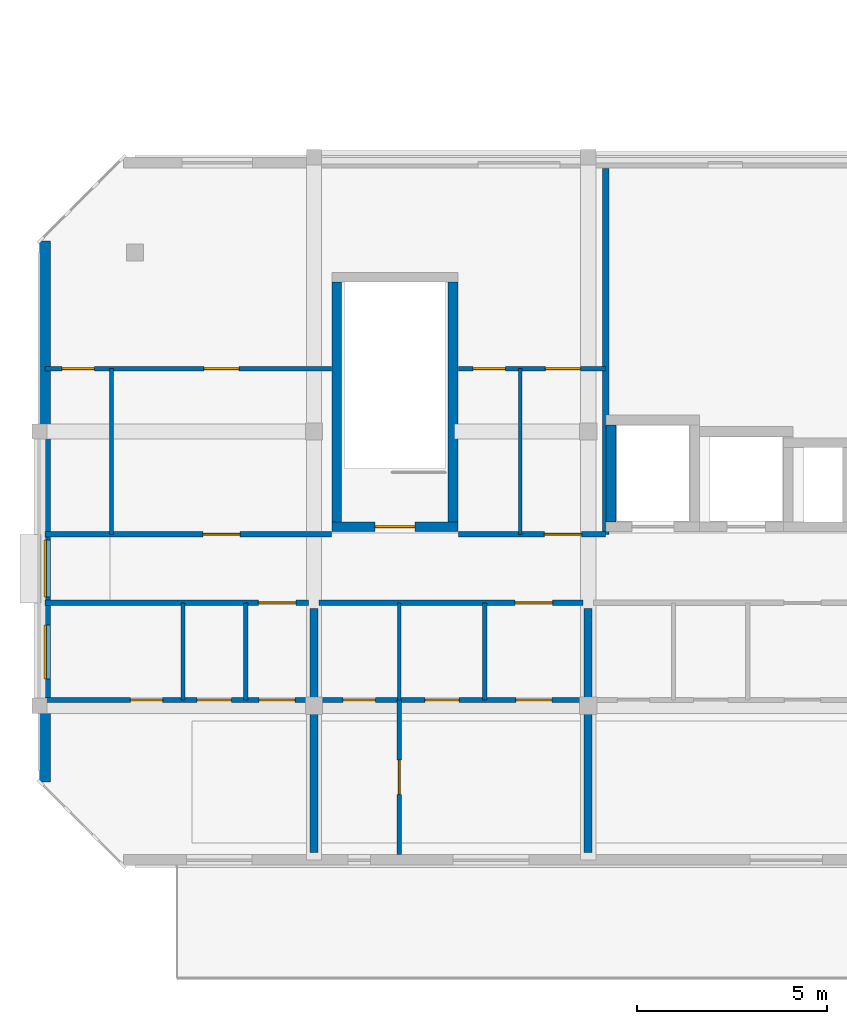
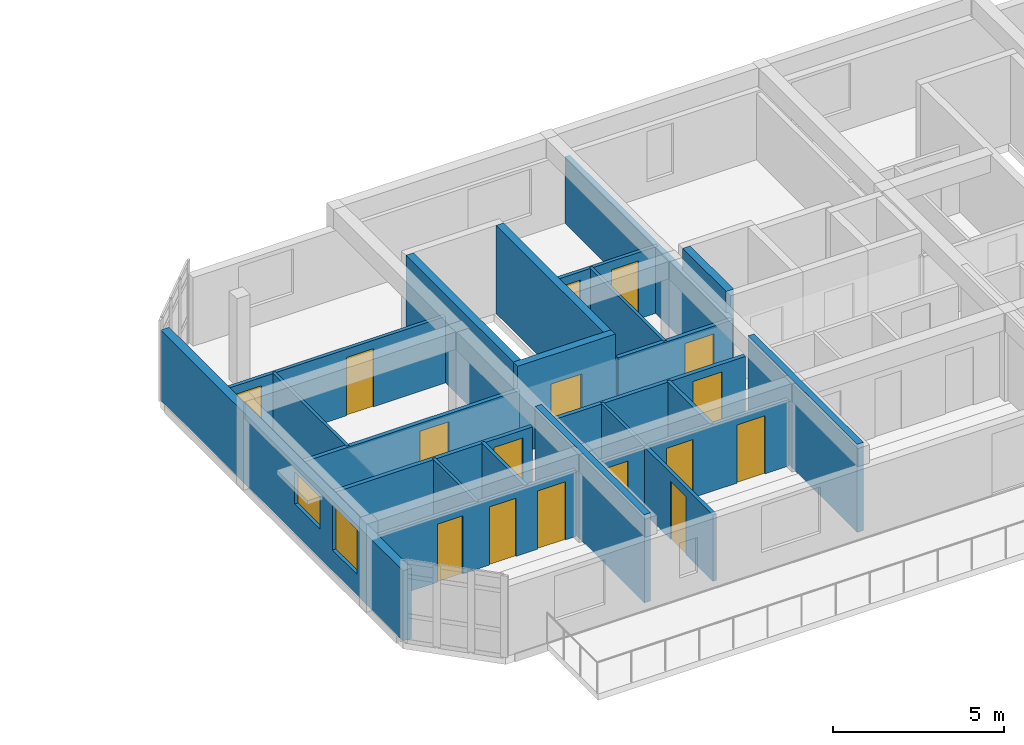
# One storey, part 8 of 19: 23 walls, 16 doors, 2 windows, 18 openings.
"""IFC4 building model written with IfcOpenShell, lengths in metres."""

import ifcopenshell
import ifcopenshell.guid

model = None  # the IFC model being written
_history = None  # IfcOwnerHistory: only IFC2X3 demands one
_inside = {}  # id of a spatial element -> (the spatial element, [elements in it])
_under = {}  # id of a project, library or spatial element -> (it, [spatial elements below it])
_declared = {}  # id of a project -> (the project, [libraries it declares])
_typed = {}  # id of a type object -> (the type object, [elements of that type])
_made_of = {}  # id of a material, layer set ... -> (it, [elements and type objects made of it])


def new_model(schema):
    """Start an empty IFC model of exactly this schema.

    Asked for "IFC4X3", IfcOpenShell would pick the latest addendum, in which some entities
    have other attributes; the version numbers below select the first issue.
    IFC2X3 requires an IfcOwnerHistory on every rooted entity: one is made here for all.
    """
    global model, _history
    if schema == "IFC4X3":
        model = ifcopenshell.file(schema_version=(4, 3, 0, 0))
    else:
        model = ifcopenshell.file(schema=schema)
    _inside.clear()
    _under.clear()
    _declared.clear()
    _typed.clear()
    _made_of.clear()
    _history = None
    if model.schema == "IFC2X3":
        org = make("IfcOrganization", Name="unknown")
        user = make(
            "IfcPersonAndOrganization",
            ThePerson=make("IfcPerson", FamilyName="unknown"),
            TheOrganization=org,
        )
        app = make(
            "IfcApplication",
            ApplicationDeveloper=org,
            Version="unknown",
            ApplicationFullName="unknown",
            ApplicationIdentifier="unknown",
        )
        _history = make(
            "IfcOwnerHistory",
            OwningUser=user,
            OwningApplication=app,
            ChangeAction="ADDED",
            CreationDate=0,
        )
    return model


def make(cls, **values):
    """One entity of the class cls with the attributes given. An attribute that is None is left unset."""
    return model.create_entity(
        cls, **{name: value for name, value in values.items() if value is not None}
    )


def rooted(cls, **values):
    """An entity with a GlobalId (a new one), such as an element, a storey or a relation."""
    return make(cls, GlobalId=ifcopenshell.guid.new(), OwnerHistory=_history, **values)


def si_unit(unit_type, name, prefix=None):
    """IfcSIUnit, for example si_unit("LENGTHUNIT", "METRE", prefix="MILLI")."""
    return make("IfcSIUnit", UnitType=unit_type, Prefix=prefix, Name=name)


def assignment(units):
    """IfcUnitAssignment: the units of a project."""
    return None if units is None else make("IfcUnitAssignment", Units=units)


def point(xyz):
    """IfcCartesianPoint."""
    return None if xyz is None else make("IfcCartesianPoint", Coordinates=xyz)


def direction(xyz):
    """IfcDirection."""
    return None if xyz is None else make("IfcDirection", DirectionRatios=xyz)


def frame(location, z_axis=None, x_axis=None):
    """IfcAxis2Placement3D, a coordinate frame: its origin and axes. An axis left out is left unset."""
    return make(
        "IfcAxis2Placement3D",
        Location=point(location),
        Axis=direction(z_axis),
        RefDirection=direction(x_axis),
    )


def frame_2d(location, x_axis=None):
    """IfcAxis2Placement2D, a coordinate frame in the plane: its origin and x axis."""
    return make(
        "IfcAxis2Placement2D", Location=point(location), RefDirection=direction(x_axis)
    )


def origin():
    """The frame at (0, 0, 0) with its axes left unset."""
    return frame((0.0, 0.0, 0.0))


def place(relative_to, where):
    """IfcLocalPlacement: puts the frame where relative to a parent placement (None: the world)."""
    return make(
        "IfcLocalPlacement", PlacementRelTo=relative_to, RelativePlacement=where
    )


def context(
    kind, dimensions, precision=None, world=None, true_north=None, identifier=None
):
    """IfcGeometricRepresentationContext, for example the 3D "Model" context."""
    return make(
        "IfcGeometricRepresentationContext",
        ContextIdentifier=identifier,
        ContextType=kind,
        CoordinateSpaceDimension=dimensions,
        Precision=precision,
        WorldCoordinateSystem=world,
        TrueNorth=true_north,
    )


def subcontext(parent, identifier, kind, view, scale=None):
    """IfcGeometricRepresentationSubContext, for example "Body" below "Model"."""
    return make(
        "IfcGeometricRepresentationSubContext",
        ContextIdentifier=identifier,
        ContextType=kind,
        ParentContext=parent,
        TargetScale=scale,
        TargetView=view,
    )


def project(units=None, contexts=None):
    """IfcProject with its units and contexts."""
    return rooted(
        "IfcProject",
        Name="project",
        RepresentationContexts=contexts,
        UnitsInContext=assignment(units),
    )


def spatial(cls, under=None, at=None, **own):
    """A site, building, storey or space (cls), placed at a placement, below another one or the project."""
    s = rooted(cls, ObjectPlacement=at, **own)
    if under is not None:
        _under.setdefault(under.id(), (under, []))[1].append(s)
    return s


def profile(cls, at=None, kind="AREA", **sizes):
    """A parametric profile (cls). Its sizes go by their IFC names, for example OverallWidth=200.0."""
    return make(cls, ProfileType=kind, Position=at, **sizes)


def rectangle(**sizes):
    """IfcRectangleProfileDef."""
    return profile("IfcRectangleProfileDef", **sizes)


def extrude(swept, where, along, depth):
    """IfcExtrudedAreaSolid: the profile swept, set in the frame where, extruded along a direction by depth."""
    return make(
        "IfcExtrudedAreaSolid",
        SweptArea=swept,
        Position=where,
        ExtrudedDirection=direction(along),
        Depth=depth,
    )


def shape(context_of_items, identifier, shape_type, items):
    """IfcShapeRepresentation: the items that make up one representation, for example the "Body"."""
    return make(
        "IfcShapeRepresentation",
        ContextOfItems=context_of_items,
        RepresentationIdentifier=identifier,
        RepresentationType=shape_type,
        Items=items,
    )


def material(Name=None, Category=None):
    """IfcMaterial."""
    return make("IfcMaterial", Name=Name, Category=Category)


def layer(
    of_material, thickness, ventilated=None, Name=None, Category=None, Priority=None
):
    """IfcMaterialLayer: one layer of a wall or slab, of a material (None: an air gap)."""
    return make(
        "IfcMaterialLayer",
        Material=of_material,
        LayerThickness=thickness,
        IsVentilated=ventilated,
        Name=Name,
        Category=Category,
        Priority=Priority,
    )


def layer_set(layers, Name=None):
    """IfcMaterialLayerSet."""
    return make("IfcMaterialLayerSet", MaterialLayers=layers, LayerSetName=Name)


def made_of(thing, what):
    """Note that an element or type object is made of a material, layer set ...; save() writes the relation."""
    if what is not None:
        _made_of.setdefault(what.id(), (what, []))[1].append(thing)
    return thing


def type_object(cls, material=None, **own):
    """A type object (cls), such as IfcWallType, which elements share."""
    return made_of(rooted(cls, **own), material)


def element(
    cls,
    number,
    at=None,
    inside=None,
    cuts=None,
    type_object=None,
    material=None,
    context=None,
    identifier="Body",
    shape_type=None,
    held_by="IfcProductDefinitionShape",
    body=None,
    shapes=None,
    **own,
):
    """One element of the class cls, such as IfcWall. Its Tag is "e" and its number.

    at: its placement. inside: the storey or other place that contains it. cuts: it is an
    opening in that element (IfcRelVoidsElement). A single representation is given by context,
    identifier, shape_type and body (its items); several are given by shapes. held_by: the class
    of the entity that holds the representations. save() writes the other relations.
    """
    e = rooted(cls, Tag="e%d" % number, ObjectPlacement=at, **own)
    if body is not None:
        shapes = [shape(context, identifier, shape_type, body)]
    if shapes is not None:
        e.Representation = make(held_by, Representations=shapes)
    if inside is not None:
        _inside.setdefault(inside.id(), (inside, []))[1].append(e)
    if cuts is not None:
        rooted(
            "IfcRelVoidsElement", RelatingBuildingElement=cuts, RelatedOpeningElement=e
        )
    if type_object is not None:
        _typed.setdefault(type_object.id(), (type_object, []))[1].append(e)
    return made_of(e, material)


def fill(opening, filler):
    """IfcRelFillsElement: the door or window that sits in an opening."""
    return rooted(
        "IfcRelFillsElement",
        RelatingOpeningElement=opening,
        RelatedBuildingElement=filler,
    )


def aggregate(whole, parts):
    """IfcRelAggregates: a whole, such as a stair, and the parts it consists of."""
    return rooted("IfcRelAggregates", RelatingObject=whole, RelatedObjects=parts)


def save(model, path):
    """Write the relations noted so far, then the file.

    IfcRelAggregates (storeys below a building ...), IfcRelContainedInSpatialStructure (elements
    in a storey), IfcRelDefinesByType, IfcRelAssociatesMaterial and IfcRelDeclares: one each for
    every whole, place, type object, material and project.
    """
    for whole, parts in _under.values():
        aggregate(whole, parts)
    for where, things in _inside.values():
        rooted(
            "IfcRelContainedInSpatialStructure",
            RelatedElements=things,
            RelatingStructure=where,
        )
    for kind, things in _typed.values():
        rooted("IfcRelDefinesByType", RelatedObjects=things, RelatingType=kind)
    for what, things in _made_of.values():
        rooted("IfcRelAssociatesMaterial", RelatedObjects=things, RelatingMaterial=what)
    for by, libraries in _declared.values():
        rooted("IfcRelDeclares", RelatingContext=by, RelatedDefinitions=libraries)
    model.write(path)


model = new_model("IFC4")

# Units and contexts
model_context = context("Model", 3, precision=1e-05, world=origin(), true_north=direction((0.0, 1.0)))
body_context = subcontext(model_context, "Body", "Model", "MODEL_VIEW")
ifc_project = project(units=[si_unit("LENGTHUNIT", "METRE"), si_unit("AREAUNIT", "SQUARE_METRE"), si_unit("VOLUMEUNIT", "CUBIC_METRE"), si_unit("PLANEANGLEUNIT", "RADIAN"), si_unit("MASSUNIT", "GRAM", prefix="KILO")], contexts=[model_context])

# Site, building, storey
site_placement = place(None, origin())
site = spatial("IfcSite", under=ifc_project, at=site_placement, CompositionType="ELEMENT")
building_placement = place(site_placement, origin())
building = spatial("IfcBuilding", under=site, at=building_placement, Name="Ochrevale Crest", CompositionType="ELEMENT")
storey_placement = place(building_placement, frame((0.0, 0.0, 43.35009765625)))
storey = spatial("IfcBuildingStorey", under=building, at=storey_placement, Name="L13", CompositionType="ELEMENT", Elevation=43.35009765625)

# Wall, opening, door
ifc_material_1 = material(Name="Gypsum plasterboard", Category="gypsum")
ifc_layer_1 = layer(ifc_material_1, 0.139892578125)
ifc_layer_set_1 = layer_set([ifc_layer_1], Name="Gypsum plasterboard")
wall_type_1 = type_object("IfcWallType", Name="WL-COR-140", PredefinedType="PARTITIONING", material=ifc_layer_set_1)
wall_1_placement = place(storey_placement, frame((129.739990234375, 24.300048828125, 0.0), z_axis=(0.0, 0.0, 1.0), x_axis=(1.0, 0.0, 0.0)))
wall_1 = element("IfcWall", 1, at=wall_1_placement, inside=storey, type_object=wall_type_1, Name="Apartment C-L13-U1 corridor wall", PredefinedType="PARTITIONING", context=body_context, shape_type="SweptSolid", body=[
    extrude(rectangle(XDim=6.919921875, YDim=0.139892578125, at=frame_2d((3.4599609375, 0.0))), origin(), (0.0, 0.0, 1.0), 2.3798828125),
])
opening_1_placement = place(wall_1_placement, frame((6.5849609375, 0.0, 0.0), z_axis=(0.0, 0.0, 1.0), x_axis=(-1.0, 0.0, 0.0)))
opening_1 = element("IfcOpeningElement", 2, at=opening_1_placement, cuts=wall_1, Name="Opening FD01", PredefinedType="OPENING", context=body_context, shape_type="SweptSolid", body=[
    extrude(rectangle(XDim=0.97998046875, YDim=2.10009765625, at=frame_2d((0.489990234375, 1.050048828125))), frame((0.0, 0.080078125, 0.0), z_axis=(0.0, -1.0, 0.0), x_axis=(1.0, 0.0, 0.0)), (0.0, 0.0, 1.0), 0.159912109375),
])
ifc_material_2 = material(Name="Solid-core FSC hardwood", Category="wood")
door_type_1 = type_object("IfcDoorType", Name="DR-APT-950", OperationType="NOTDEFINED", PredefinedType="DOOR", material=ifc_material_2)
door_1_placement = place(opening_1_placement, origin())
door_1 = element("IfcDoor", 3, at=door_1_placement, inside=storey, type_object=door_type_1, Name="Apartment C-L13-U1 entrance door", OperationType="SINGLE_SWING_RIGHT", OverallHeight=2.10009765625, OverallWidth=0.97998046875, PredefinedType="DOOR", context=body_context, shape_type="SweptSolid", body=[
    extrude(rectangle(XDim=0.97998046875, YDim=2.10009765625, at=frame_2d((0.489990234375, 1.050048828125))), frame((0.0, 0.02490234375, 0.0), z_axis=(0.0, -1.0, 0.0), x_axis=(1.0, 0.0, 0.0)), (0.0, 0.0, 1.0), 0.050048828125),
])
fill(opening_1, door_1)

wall_2_placement = place(storey_placement, frame((136.93994140625, 24.300048828125, 0.0), z_axis=(0.0, 0.0, 1.0), x_axis=(1.0, 0.0, 0.0)))
wall_2 = element("IfcWall", 4, at=wall_2_placement, inside=storey, type_object=wall_type_1, Name="Apartment C-L13-U2 corridor wall", PredefinedType="PARTITIONING", context=body_context, shape_type="SweptSolid", body=[
    extrude(rectangle(XDim=6.920166015625, YDim=0.139892578125, at=frame_2d((3.4599609375, 0.0))), origin(), (0.0, 0.0, 1.0), 2.3798828125),
])
opening_2_placement = place(wall_2_placement, frame((6.125, 0.0, 0.0), z_axis=(0.0, 0.0, 1.0), x_axis=(-1.0, 0.0, 0.0)))
opening_2 = element("IfcOpeningElement", 5, at=opening_2_placement, cuts=wall_2, Name="Opening FD01", PredefinedType="OPENING", context=body_context, shape_type="SweptSolid", body=[
    extrude(rectangle(XDim=0.97998046875, YDim=2.10009765625, at=frame_2d((0.489990234375, 1.050048828125))), frame((0.0, 0.080078125, 0.0), z_axis=(0.0, -1.0, 0.0), x_axis=(1.0, 0.0, 0.0)), (0.0, 0.0, 1.0), 0.159912109375),
])
door_2_placement = place(opening_2_placement, origin())
door_2 = element("IfcDoor", 6, at=door_2_placement, inside=storey, type_object=door_type_1, Name="Apartment C-L13-U2 entrance door", OperationType="SINGLE_SWING_RIGHT", OverallHeight=2.10009765625, OverallWidth=0.97998046875, PredefinedType="DOOR", context=body_context, shape_type="SweptSolid", body=[
    extrude(rectangle(XDim=0.97998046875, YDim=2.10009765625, at=frame_2d((0.489990234375, 1.050048828125))), frame((0.0, 0.02490234375, 0.0), z_axis=(0.0, -1.0, 0.0), x_axis=(1.0, 0.0, 0.0)), (0.0, 0.0, 1.0), 0.050048828125),
])
fill(opening_2, door_2)

wall_3_placement = place(storey_placement, frame((129.739990234375, 26.10009765625, 0.0), z_axis=(0.0, 0.0, 1.0), x_axis=(1.0, 0.0, 0.0)))
wall_3 = element("IfcWall", 7, at=wall_3_placement, inside=storey, type_object=wall_type_1, Name="Suite C-L13-CW corridor wall", PredefinedType="PARTITIONING", context=body_context, shape_type="SweptSolid", body=[
    extrude(rectangle(XDim=7.52001953125, YDim=0.139892578125, at=frame_2d((3.760009765625, 0.0))), origin(), (0.0, 0.0, 1.0), 2.3798828125),
])
opening_3_placement = place(wall_3_placement, frame((5.125, 0.0, 0.0), z_axis=(0.0, 0.0, 1.0), x_axis=(-1.0, 0.0, 0.0)))
opening_3 = element("IfcOpeningElement", 8, at=opening_3_placement, cuts=wall_3, Name="Opening FD01", PredefinedType="OPENING", context=body_context, shape_type="SweptSolid", body=[
    extrude(rectangle(XDim=0.97998046875, YDim=2.10009765625, at=frame_2d((0.489990234375, 1.050048828125))), frame((0.0, 0.080078125, 0.0), z_axis=(0.0, -1.0, 0.0), x_axis=(1.0, 0.0, 0.0)), (0.0, 0.0, 1.0), 0.159912109375),
])
door_3_placement = place(opening_3_placement, origin())
door_3 = element("IfcDoor", 9, at=door_3_placement, inside=storey, type_object=door_type_1, Name="Suite C-L13-CW entrance door", OperationType="SINGLE_SWING_RIGHT", OverallHeight=2.10009765625, OverallWidth=0.97998046875, PredefinedType="DOOR", context=body_context, shape_type="SweptSolid", body=[
    extrude(rectangle(XDim=0.97998046875, YDim=2.10009765625, at=frame_2d((0.489990234375, 1.050048828125))), frame((0.0, 0.02490234375, 0.0), z_axis=(0.0, -1.0, 0.0), x_axis=(1.0, 0.0, 0.0)), (0.0, 0.0, 1.0), 0.050048828125),
])
fill(opening_3, door_3)

wall_4_placement = place(storey_placement, frame((140.590087890625, 26.10009765625, 0.0), z_axis=(0.0, 0.0, 1.0), x_axis=(1.0, 0.0, 0.0)))
wall_4 = element("IfcWall", 10, at=wall_4_placement, inside=storey, type_object=wall_type_1, Name="Suite C-L13-MW corridor wall", PredefinedType="PARTITIONING", context=body_context, shape_type="SweptSolid", body=[
    extrude(rectangle(XDim=3.869873046875, YDim=0.139892578125, at=frame_2d((1.93505859375, 0.0))), origin(), (0.0, 0.0, 1.0), 2.3798828125),
])
opening_4_placement = place(wall_4_placement, frame((2.2578125, 0.0, 0.0)))
opening_4 = element("IfcOpeningElement", 11, at=opening_4_placement, cuts=wall_4, Name="Opening FD01", PredefinedType="OPENING", context=body_context, shape_type="SweptSolid", body=[
    extrude(rectangle(XDim=0.97998046875, YDim=2.10009765625, at=frame_2d((0.489990234375, 1.050048828125))), frame((0.0, 0.080078125, 0.0), z_axis=(0.0, -1.0, 0.0), x_axis=(1.0, 0.0, 0.0)), (0.0, 0.0, 1.0), 0.159912109375),
])
door_4_placement = place(opening_4_placement, origin())
door_4 = element("IfcDoor", 12, at=door_4_placement, inside=storey, type_object=door_type_1, Name="Suite C-L13-MW entrance door", OperationType="SINGLE_SWING_LEFT", OverallHeight=2.10009765625, OverallWidth=0.97998046875, PredefinedType="DOOR", context=body_context, shape_type="SweptSolid", body=[
    extrude(rectangle(XDim=0.97998046875, YDim=2.10009765625, at=frame_2d((0.489990234375, 1.050048828125))), frame((0.0, 0.02490234375, 0.0), z_axis=(0.0, -1.0, 0.0), x_axis=(1.0, 0.0, 0.0)), (0.0, 0.0, 1.0), 0.050048828125),
])
fill(opening_4, door_4)

ifc_material_3 = material(Name="Precast concrete C50/60", Category="concrete")
ifc_layer_2 = layer(ifc_material_3, 0.2548828125)
ifc_layer_set_2 = layer_set([ifc_layer_2], Name="Precast concrete C50/60")
wall_type_2 = type_object("IfcWallType", Name="WL-CORE-255", PredefinedType="SHEAR", material=ifc_layer_set_2)
wall_5_placement = place(storey_placement, frame((137.2724609375, 26.300048828125, 0.0), z_axis=(0.0, 0.0, 1.0), x_axis=(1.0, 0.0, 0.0)))
wall_5 = element("IfcWall", 13, at=wall_5_placement, inside=storey, type_object=wall_type_2, Name="Block C L13 Stair 1 precast core shear wall S", PredefinedType="SHEAR", context=body_context, shape_type="SweptSolid", body=[
    extrude(rectangle(XDim=3.304931640625, YDim=0.2548828125, at=frame_2d((1.65234375, 0.0))), origin(), (0.0, 0.0, 1.0), 3.14990234375),
])
opening_5_placement = place(wall_5_placement, frame((2.177490234375, 0.0, 0.0), z_axis=(0.0, 0.0, 1.0), x_axis=(-1.0, 0.0, 0.0)))
opening_5 = element("IfcOpeningElement", 14, at=opening_5_placement, cuts=wall_5, Name="Opening FD03", PredefinedType="OPENING", context=body_context, shape_type="SweptSolid", body=[
    extrude(rectangle(XDim=1.050048828125, YDim=2.1201171875, at=frame_2d((0.52490234375, 1.06005859375))), frame((0.0, 0.137451171875, 0.0), z_axis=(0.0, -1.0, 0.0), x_axis=(1.0, 0.0, 0.0)), (0.0, 0.0, 1.0), 0.27490234375),
])
door_type_2 = type_object("IfcDoorType", Name="DR-ST-1050", OperationType="NOTDEFINED", PredefinedType="DOOR", material=ifc_material_2)
door_5_placement = place(opening_5_placement, origin())
door_5 = element("IfcDoor", 15, at=door_5_placement, inside=storey, type_object=door_type_2, Name="Block C L13 fire stair 1 door", OperationType="SINGLE_SWING_RIGHT", OverallHeight=2.1201171875, OverallWidth=1.050048828125, PredefinedType="DOOR", context=body_context, shape_type="SweptSolid", body=[
    extrude(rectangle(XDim=1.050048828125, YDim=2.1201171875, at=frame_2d((0.52490234375, 1.06005859375))), frame((0.0, 0.02490234375, 0.0), z_axis=(0.0, -1.0, 0.0), x_axis=(1.0, 0.0, 0.0)), (0.0, 0.0, 1.0), 0.050048828125),
])
fill(opening_5, door_5)

# Walls
for number, where, z_axis, x_axis, name in (
    (16, (137.39990234375, 26.427490234375, 0.0), (0.0, 0.0, 1.0), (0.0, 1.0, 0.0), "Block C L13 Stair 1 precast core shear wall W"),
    (17, (140.449951171875, 26.427490234375, 0.0), (0.0, 0.0, 1.0), (0.0, 1.0, 0.0), "Block C L13 Stair 1 precast core shear wall E"),
):
    element("IfcWall", number, at=place(storey_placement, frame(where, z_axis=z_axis, x_axis=x_axis)), inside=storey, type_object=wall_type_2, Name=name, PredefinedType="SHEAR", context=body_context, shape_type="SweptSolid", body=[
        extrude(rectangle(XDim=6.294921875, YDim=0.2548828125, at=frame_2d((3.1474609375, 0.0))), origin(), (0.0, 0.0, 1.0), 3.14990234375),
    ])
wall_6_placement = place(storey_placement, frame((144.60009765625, 26.427490234375, 0.0), z_axis=(0.0, 0.0, 1.0), x_axis=(0.0, 1.0, 0.0)))
element("IfcWall", 18, at=wall_6_placement, inside=storey, type_object=wall_type_2, Name="Block C L13 Lift 1 precast shaft shear wall W", PredefinedType="SHEAR", context=body_context, shape_type="SweptSolid", body=[
    extrude(rectangle(XDim=2.544921875, YDim=0.2548828125, at=frame_2d((1.2724609375, 0.0))), origin(), (0.0, 0.0, 1.0), 3.14990234375),
])

# Wall, openings, windows
ifc_material_4 = material(Name="Clay face brickwork", Category="masonry")
ifc_layer_3 = layer(ifc_material_4, 0.2900390625)
ifc_layer_set_3 = layer_set([ifc_layer_3], Name="Clay face brickwork")
wall_type_3 = type_object("IfcWallType", Name="WL-EXT-BRICK-290", PredefinedType="SOLIDWALL", material=ifc_layer_set_3)
wall_7_placement = place(storey_placement, frame((129.7451171875, 33.800048828125, 0.0), z_axis=(0.0, 0.0, 1.0), x_axis=(0.0, -1.0, 0.0)))
wall_7 = element("IfcWall", 19, at=wall_7_placement, inside=storey, type_object=wall_type_3, Name="Block C L13 external facade wall E7", PredefinedType="SOLIDWALL", context=body_context, shape_type="SweptSolid", body=[
    extrude(rectangle(XDim=14.199951171875, YDim=0.2900390625, at=frame_2d((7.10009765625, 0.0))), origin(), (0.0, 0.0, 1.0), 2.510009765625),
])
opening_6_placement = place(wall_7_placement, frame((7.85009765625, 0.0, 1.050048828125)))
opening_6 = element("IfcOpeningElement", 20, at=opening_6_placement, cuts=wall_7, Name="Opening W18", PredefinedType="OPENING", context=body_context, shape_type="SweptSolid", body=[
    extrude(rectangle(XDim=1.5, YDim=1.14990234375, at=frame_2d((0.75, 0.574951171875))), frame((0.0, 0.155029296875, 0.0), z_axis=(0.0, -1.0, 0.0), x_axis=(1.0, 0.0, 0.0)), (0.0, 0.0, 1.0), 0.31005859375),
])
opening_7_placement = place(wall_7_placement, frame((10.074951171875, 0.0, 0.75)))
opening_7 = element("IfcOpeningElement", 21, at=opening_7_placement, cuts=wall_7, Name="Opening W31", PredefinedType="OPENING", context=body_context, shape_type="SweptSolid", body=[
    extrude(rectangle(XDim=1.419921875, YDim=1.60009765625, at=frame_2d((0.7099609375, 0.800048828125))), frame((0.0, 0.155029296875, 0.0), z_axis=(0.0, -1.0, 0.0), x_axis=(1.0, 0.0, 0.0)), (0.0, 0.0, 1.0), 0.31005859375),
])
ifc_material_5 = material(Name="Anodised aluminium 6063-T5 and low-E double glazing", Category="aluminium")
window_type_1 = type_object("IfcWindowType", Name="WIN-W18", PartitioningType="SINGLE_PANEL", PredefinedType="WINDOW", material=ifc_material_5)
window_1_placement = place(opening_6_placement, origin())
window_1 = element("IfcWindow", 22, at=window_1_placement, inside=storey, type_object=window_type_1, Name="Block C L13 corridor end daylight window W", OverallHeight=1.14990234375, OverallWidth=1.5, PartitioningType="SINGLE_PANEL", PredefinedType="WINDOW", context=body_context, shape_type="SweptSolid", body=[
    extrude(rectangle(XDim=1.5, YDim=1.14990234375, at=frame_2d((0.75, 0.574951171875))), frame((0.0, 0.030029296875, 0.0), z_axis=(0.0, -1.0, 0.0), x_axis=(1.0, 0.0, 0.0)), (0.0, 0.0, 1.0), 0.06005859375),
])
fill(opening_6, window_1)
window_type_2 = type_object("IfcWindowType", Name="WIN-W31", PartitioningType="SINGLE_PANEL", PredefinedType="WINDOW", material=ifc_material_5)
window_2_placement = place(opening_7_placement, origin())
window_2 = element("IfcWindow", 23, at=window_2_placement, inside=storey, type_object=window_type_2, Name="Block C L13 side suite window W", OverallHeight=1.60009765625, OverallWidth=1.419921875, PartitioningType="SINGLE_PANEL", PredefinedType="WINDOW", context=body_context, shape_type="SweptSolid", body=[
    extrude(rectangle(XDim=1.419921875, YDim=1.60009765625, at=frame_2d((0.7099609375, 0.800048828125))), frame((0.0, 0.030029296875, 0.0), z_axis=(0.0, -1.0, 0.0), x_axis=(1.0, 0.0, 0.0)), (0.0, 0.0, 1.0), 0.06005859375),
])
fill(opening_7, window_2)

# Wall
ifc_layer_4 = layer(ifc_material_1, 0.1201171875)
ifc_layer_set_4 = layer_set([ifc_layer_4], Name="Gypsum plasterboard")
wall_type_4 = type_object("IfcWallType", Name="WL-PART-120", PredefinedType="PARTITIONING", material=ifc_layer_set_4)
wall_8_placement = place(storey_placement, frame((135.010009765625, 21.75, 0.0), z_axis=(0.0, 0.0, 1.0), x_axis=(0.0, 1.0, 0.0)))
element("IfcWall", 24, at=wall_8_placement, inside=storey, type_object=wall_type_4, Name="Apartment C-L13-U1 kitchen-foyer wall", PredefinedType="PARTITIONING", context=body_context, shape_type="SweptSolid", body=[
    extrude(rectangle(XDim=2.550048828125, YDim=0.1201171875, at=frame_2d((1.27490234375, 0.0))), origin(), (0.0, 0.0, 1.0), 2.3798828125),
])

# Wall, openings, doors
wall_9_placement = place(storey_placement, frame((129.739990234375, 21.75, 0.0), z_axis=(0.0, 0.0, 1.0), x_axis=(1.0, 0.0, 0.0)))
wall_9 = element("IfcWall", 25, at=wall_9_placement, inside=storey, type_object=wall_type_4, Name="Apartment C-L13-U1 central partition", PredefinedType="PARTITIONING", context=body_context, shape_type="SweptSolid", body=[
    extrude(rectangle(XDim=6.919921875, YDim=0.1201171875, at=frame_2d((3.4599609375, 0.0))), origin(), (0.0, 0.0, 1.0), 2.3798828125),
])
opening_8_placement = place(wall_9_placement, frame((2.239990234375, 0.0, 0.0)))
opening_8 = element("IfcOpeningElement", 26, at=opening_8_placement, cuts=wall_9, Name="Opening ID01", PredefinedType="OPENING", context=body_context, shape_type="SweptSolid", body=[
    extrude(rectangle(XDim=0.85009765625, YDim=2.080078125, at=frame_2d((0.425048828125, 1.0400390625))), frame((0.0, 0.070068359375, 0.0), z_axis=(0.0, -1.0, 0.0), x_axis=(1.0, 0.0, 0.0)), (0.0, 0.0, 1.0), 0.14013671875),
])
opening_9_placement = place(wall_9_placement, frame((4.89501953125, 0.0, 0.0), z_axis=(0.0, 0.0, 1.0), x_axis=(-1.0, 0.0, 0.0)))
opening_9 = element("IfcOpeningElement", 27, at=opening_9_placement, cuts=wall_9, Name="Opening ID02", PredefinedType="OPENING", context=body_context, shape_type="SweptSolid", body=[
    extrude(rectangle(XDim=0.89990234375, YDim=2.080078125, at=frame_2d((0.449951171875, 1.0400390625))), frame((0.0, 0.070068359375, 0.0), z_axis=(0.0, -1.0, 0.0), x_axis=(1.0, 0.0, 0.0)), (0.0, 0.0, 1.0), 0.14013671875),
])
opening_10_placement = place(wall_9_placement, frame((5.6201171875, 0.0, 0.0)))
opening_10 = element("IfcOpeningElement", 28, at=opening_10_placement, cuts=wall_9, Name="Opening ID06", PredefinedType="OPENING", context=body_context, shape_type="SweptSolid", body=[
    extrude(rectangle(XDim=0.949951171875, YDim=2.080078125, at=frame_2d((0.47509765625, 1.0400390625))), frame((0.0, 0.070068359375, 0.0), z_axis=(0.0, -1.0, 0.0), x_axis=(1.0, 0.0, 0.0)), (0.0, 0.0, 1.0), 0.14013671875),
])
door_type_3 = type_object("IfcDoorType", Name="DR-INT-900", OperationType="NOTDEFINED", PredefinedType="DOOR", material=ifc_material_2)
door_6_placement = place(opening_9_placement, origin())
door_6 = element("IfcDoor", 29, at=door_6_placement, inside=storey, type_object=door_type_3, Name="Apartment C-L13-U1 Kitchen door", OperationType="SINGLE_SWING_RIGHT", OverallHeight=2.080078125, OverallWidth=0.89990234375, PredefinedType="DOOR", context=body_context, shape_type="SweptSolid", body=[
    extrude(rectangle(XDim=0.89990234375, YDim=2.080078125, at=frame_2d((0.449951171875, 1.0400390625))), frame((0.0, 0.02490234375, 0.0), z_axis=(0.0, -1.0, 0.0), x_axis=(1.0, 0.0, 0.0)), (0.0, 0.0, 1.0), 0.050048828125),
])
fill(opening_9, door_6)
door_type_4 = type_object("IfcDoorType", Name="DR-INT-950", OperationType="NOTDEFINED", PredefinedType="DOOR", material=ifc_material_2)
door_7_placement = place(opening_10_placement, origin())
door_7 = element("IfcDoor", 30, at=door_7_placement, inside=storey, type_object=door_type_4, Name="Apartment C-L13-U1 Living Foyer door", OperationType="SINGLE_SWING_LEFT", OverallHeight=2.080078125, OverallWidth=0.949951171875, PredefinedType="DOOR", context=body_context, shape_type="SweptSolid", body=[
    extrude(rectangle(XDim=0.949951171875, YDim=2.080078125, at=frame_2d((0.47509765625, 1.0400390625))), frame((0.0, 0.02490234375, 0.0), z_axis=(0.0, -1.0, 0.0), x_axis=(1.0, 0.0, 0.0)), (0.0, 0.0, 1.0), 0.050048828125),
])
fill(opening_10, door_7)
door_type_5 = type_object("IfcDoorType", Name="DR-WC-850", OperationType="NOTDEFINED", PredefinedType="DOOR", material=ifc_material_2)
door_8_placement = place(opening_8_placement, origin())
door_8 = element("IfcDoor", 31, at=door_8_placement, inside=storey, type_object=door_type_5, Name="Apartment C-L13-U1 Bathroom door", OperationType="SINGLE_SWING_LEFT", OverallHeight=2.080078125, OverallWidth=0.85009765625, PredefinedType="DOOR", context=body_context, shape_type="SweptSolid", body=[
    extrude(rectangle(XDim=0.85009765625, YDim=2.080078125, at=frame_2d((0.425048828125, 1.0400390625))), frame((0.0, 0.02490234375, 0.0), z_axis=(0.0, -1.0, 0.0), x_axis=(1.0, 0.0, 0.0)), (0.0, 0.0, 1.0), 0.050048828125),
])
fill(opening_8, door_8)

# Wall
wall_10_placement = place(storey_placement, frame((141.2900390625, 21.75, 0.0), z_axis=(0.0, 0.0, 1.0), x_axis=(0.0, 1.0, 0.0)))
element("IfcWall", 32, at=wall_10_placement, inside=storey, type_object=wall_type_4, Name="Apartment C-L13-U2 kitchen-foyer wall", PredefinedType="PARTITIONING", context=body_context, shape_type="SweptSolid", body=[
    extrude(rectangle(XDim=2.550048828125, YDim=0.1201171875, at=frame_2d((1.27490234375, 0.0))), origin(), (0.0, 0.0, 1.0), 2.3798828125),
])

# Wall, openings, doors
wall_11_placement = place(storey_placement, frame((136.93994140625, 21.75, 0.0), z_axis=(0.0, 0.0, 1.0), x_axis=(1.0, 0.0, 0.0)))
wall_11 = element("IfcWall", 33, at=wall_11_placement, inside=storey, type_object=wall_type_4, Name="Apartment C-L13-U2 central partition", PredefinedType="PARTITIONING", context=body_context, shape_type="SweptSolid", body=[
    extrude(rectangle(XDim=6.920166015625, YDim=0.1201171875, at=frame_2d((3.4599609375, 0.0))), origin(), (0.0, 0.0, 1.0), 2.3798828125),
])
opening_11_placement = place(wall_11_placement, frame((0.625, 0.0, 0.0)))
opening_11 = element("IfcOpeningElement", 34, at=opening_11_placement, cuts=wall_11, Name="Opening ID01", PredefinedType="OPENING", context=body_context, shape_type="SweptSolid", body=[
    extrude(rectangle(XDim=0.85009765625, YDim=2.080078125, at=frame_2d((0.425048828125, 1.0400390625))), frame((0.0, 0.070068359375, 0.0), z_axis=(0.0, -1.0, 0.0), x_axis=(1.0, 0.0, 0.0)), (0.0, 0.0, 1.0), 0.14013671875),
])
opening_12_placement = place(wall_11_placement, frame((3.6748046875, 0.0, 0.0), z_axis=(0.0, 0.0, 1.0), x_axis=(-1.0, 0.0, 0.0)))
opening_12 = element("IfcOpeningElement", 35, at=opening_12_placement, cuts=wall_11, Name="Opening ID02", PredefinedType="OPENING", context=body_context, shape_type="SweptSolid", body=[
    extrude(rectangle(XDim=0.89990234375, YDim=2.080078125, at=frame_2d((0.449951171875, 1.0400390625))), frame((0.0, 0.070068359375, 0.0), z_axis=(0.0, -1.0, 0.0), x_axis=(1.0, 0.0, 0.0)), (0.0, 0.0, 1.0), 0.14013671875),
])
opening_13_placement = place(wall_11_placement, frame((5.159912109375, 0.0, 0.0)))
opening_13 = element("IfcOpeningElement", 36, at=opening_13_placement, cuts=wall_11, Name="Opening ID06", PredefinedType="OPENING", context=body_context, shape_type="SweptSolid", body=[
    extrude(rectangle(XDim=0.949951171875, YDim=2.080078125, at=frame_2d((0.47509765625, 1.0400390625))), frame((0.0, 0.070068359375, 0.0), z_axis=(0.0, -1.0, 0.0), x_axis=(1.0, 0.0, 0.0)), (0.0, 0.0, 1.0), 0.14013671875),
])
door_9_placement = place(opening_12_placement, origin())
door_9 = element("IfcDoor", 37, at=door_9_placement, inside=storey, type_object=door_type_3, Name="Apartment C-L13-U2 Kitchen door", OperationType="SINGLE_SWING_RIGHT", OverallHeight=2.080078125, OverallWidth=0.89990234375, PredefinedType="DOOR", context=body_context, shape_type="SweptSolid", body=[
    extrude(rectangle(XDim=0.89990234375, YDim=2.080078125, at=frame_2d((0.449951171875, 1.0400390625))), frame((0.0, 0.02490234375, 0.0), z_axis=(0.0, -1.0, 0.0), x_axis=(1.0, 0.0, 0.0)), (0.0, 0.0, 1.0), 0.050048828125),
])
fill(opening_12, door_9)
door_10_placement = place(opening_13_placement, origin())
door_10 = element("IfcDoor", 38, at=door_10_placement, inside=storey, type_object=door_type_4, Name="Apartment C-L13-U2 Living Foyer door", OperationType="SINGLE_SWING_LEFT", OverallHeight=2.080078125, OverallWidth=0.949951171875, PredefinedType="DOOR", context=body_context, shape_type="SweptSolid", body=[
    extrude(rectangle(XDim=0.949951171875, YDim=2.080078125, at=frame_2d((0.47509765625, 1.0400390625))), frame((0.0, 0.02490234375, 0.0), z_axis=(0.0, -1.0, 0.0), x_axis=(1.0, 0.0, 0.0)), (0.0, 0.0, 1.0), 0.050048828125),
])
fill(opening_13, door_10)
door_11_placement = place(opening_11_placement, origin())
door_11 = element("IfcDoor", 39, at=door_11_placement, inside=storey, type_object=door_type_5, Name="Apartment C-L13-U2 Bathroom door", OperationType="SINGLE_SWING_LEFT", OverallHeight=2.080078125, OverallWidth=0.85009765625, PredefinedType="DOOR", context=body_context, shape_type="SweptSolid", body=[
    extrude(rectangle(XDim=0.85009765625, YDim=2.080078125, at=frame_2d((0.425048828125, 1.0400390625))), frame((0.0, 0.02490234375, 0.0), z_axis=(0.0, -1.0, 0.0), x_axis=(1.0, 0.0, 0.0)), (0.0, 0.0, 1.0), 0.050048828125),
])
fill(opening_11, door_11)

# Wall, opening, door
wall_12_placement = place(storey_placement, frame((139.0400390625, 17.699951171875, 0.0), z_axis=(0.0, 0.0, 1.0), x_axis=(0.0, 1.0, 0.0)))
wall_12 = element("IfcWall", 40, at=wall_12_placement, inside=storey, type_object=wall_type_4, Name="Apartment C-L13-U2 bedroom partition", PredefinedType="PARTITIONING", context=body_context, shape_type="SweptSolid", body=[
    extrude(rectangle(XDim=4.050048828125, YDim=0.1201171875, at=frame_2d((2.02490234375, 0.0))), origin(), (0.0, 0.0, 1.0), 2.3798828125),
])
opening_14_placement = place(wall_12_placement, frame((2.474853515625, 0.0, 0.0), z_axis=(0.0, 0.0, 1.0), x_axis=(-1.0, 0.0, 0.0)))
opening_14 = element("IfcOpeningElement", 41, at=opening_14_placement, cuts=wall_12, Name="Opening ID02", PredefinedType="OPENING", context=body_context, shape_type="SweptSolid", body=[
    extrude(rectangle(XDim=0.89990234375, YDim=2.080078125, at=frame_2d((0.449951171875, 1.0400390625))), frame((0.0, 0.070068359375, 0.0), z_axis=(0.0, -1.0, 0.0), x_axis=(1.0, 0.0, 0.0)), (0.0, 0.0, 1.0), 0.14013671875),
])
door_12_placement = place(opening_14_placement, origin())
door_12 = element("IfcDoor", 42, at=door_12_placement, inside=storey, type_object=door_type_3, Name="Apartment C-L13-U2 Master Bedroom door", OperationType="SINGLE_SWING_RIGHT", OverallHeight=2.080078125, OverallWidth=0.89990234375, PredefinedType="DOOR", context=body_context, shape_type="SweptSolid", body=[
    extrude(rectangle(XDim=0.89990234375, YDim=2.080078125, at=frame_2d((0.449951171875, 1.0400390625))), frame((0.0, 0.02490234375, 0.0), z_axis=(0.0, -1.0, 0.0), x_axis=(1.0, 0.0, 0.0)), (0.0, 0.0, 1.0), 0.050048828125),
])
fill(opening_14, door_12)

# Wall, openings, doors
wall_13_placement = place(storey_placement, frame((129.739990234375, 30.449951171875, 0.0), z_axis=(0.0, 0.0, 1.0), x_axis=(1.0, 0.0, 0.0)))
wall_13 = element("IfcWall", 43, at=wall_13_placement, inside=storey, type_object=wall_type_4, Name="Suite C-L13-CW internal wall", PredefinedType="PARTITIONING", context=body_context, shape_type="SweptSolid", body=[
    extrude(rectangle(XDim=7.52001953125, YDim=0.1201171875, at=frame_2d((3.760009765625, 0.0))), origin(), (0.0, 0.0, 1.0), 2.3798828125),
])
opening_15_placement = place(wall_13_placement, frame((0.449951171875, 0.0, 0.0)))
opening_15 = element("IfcOpeningElement", 44, at=opening_15_placement, cuts=wall_13, Name="Opening ID01", PredefinedType="OPENING", context=body_context, shape_type="SweptSolid", body=[
    extrude(rectangle(XDim=0.85009765625, YDim=2.080078125, at=frame_2d((0.425048828125, 1.0400390625))), frame((0.0, 0.070068359375, 0.0), z_axis=(0.0, -1.0, 0.0), x_axis=(1.0, 0.0, 0.0)), (0.0, 0.0, 1.0), 0.14013671875),
])
opening_16_placement = place(wall_13_placement, frame((5.094970703125, 0.0, 0.0), z_axis=(0.0, 0.0, 1.0), x_axis=(-1.0, 0.0, 0.0)))
opening_16 = element("IfcOpeningElement", 45, at=opening_16_placement, cuts=wall_13, Name="Opening ID04", PredefinedType="OPENING", context=body_context, shape_type="SweptSolid", body=[
    extrude(rectangle(XDim=0.919921875, YDim=2.080078125, at=frame_2d((0.4599609375, 1.0400390625))), frame((0.0, 0.070068359375, 0.0), z_axis=(0.0, -1.0, 0.0), x_axis=(1.0, 0.0, 0.0)), (0.0, 0.0, 1.0), 0.14013671875),
])
door_type_6 = type_object("IfcDoorType", Name="DR-INT-920", OperationType="NOTDEFINED", PredefinedType="DOOR", material=ifc_material_2)
door_13_placement = place(opening_16_placement, origin())
door_13 = element("IfcDoor", 46, at=door_13_placement, inside=storey, type_object=door_type_6, Name="Suite C-L13-CW Quiet Reading Room door", OperationType="SINGLE_SWING_RIGHT", OverallHeight=2.080078125, OverallWidth=0.919921875, PredefinedType="DOOR", context=body_context, shape_type="SweptSolid", body=[
    extrude(rectangle(XDim=0.919921875, YDim=2.080078125, at=frame_2d((0.4599609375, 1.0400390625))), frame((0.0, 0.02490234375, 0.0), z_axis=(0.0, -1.0, 0.0), x_axis=(1.0, 0.0, 0.0)), (0.0, 0.0, 1.0), 0.050048828125),
])
fill(opening_16, door_13)
door_14_placement = place(opening_15_placement, origin())
door_14 = element("IfcDoor", 47, at=door_14_placement, inside=storey, type_object=door_type_5, Name="Suite C-L13-CW Bathroom door", OperationType="SINGLE_SWING_LEFT", OverallHeight=2.080078125, OverallWidth=0.85009765625, PredefinedType="DOOR", context=body_context, shape_type="SweptSolid", body=[
    extrude(rectangle(XDim=0.85009765625, YDim=2.080078125, at=frame_2d((0.425048828125, 1.0400390625))), frame((0.0, 0.02490234375, 0.0), z_axis=(0.0, -1.0, 0.0), x_axis=(1.0, 0.0, 0.0)), (0.0, 0.0, 1.0), 0.050048828125),
])
fill(opening_15, door_14)

wall_14_placement = place(storey_placement, frame((140.590087890625, 30.449951171875, 0.0), z_axis=(0.0, 0.0, 1.0), x_axis=(1.0, 0.0, 0.0)))
wall_14 = element("IfcWall", 48, at=wall_14_placement, inside=storey, type_object=wall_type_4, Name="Suite C-L13-MW internal wall", PredefinedType="PARTITIONING", context=body_context, shape_type="SweptSolid", body=[
    extrude(rectangle(XDim=3.869873046875, YDim=0.1201171875, at=frame_2d((1.93505859375, 0.0))), origin(), (0.0, 0.0, 1.0), 2.3798828125),
])
opening_17_placement = place(wall_14_placement, frame((1.23779296875, 0.0, 0.0), z_axis=(0.0, 0.0, 1.0), x_axis=(-1.0, 0.0, 0.0)))
opening_17 = element("IfcOpeningElement", 49, at=opening_17_placement, cuts=wall_14, Name="Opening ID01", PredefinedType="OPENING", context=body_context, shape_type="SweptSolid", body=[
    extrude(rectangle(XDim=0.85009765625, YDim=2.080078125, at=frame_2d((0.425048828125, 1.0400390625))), frame((0.0, 0.070068359375, 0.0), z_axis=(0.0, -1.0, 0.0), x_axis=(1.0, 0.0, 0.0)), (0.0, 0.0, 1.0), 0.14013671875),
])
opening_18_placement = place(wall_14_placement, frame((2.28759765625, 0.0, 0.0)))
opening_18 = element("IfcOpeningElement", 50, at=opening_18_placement, cuts=wall_14, Name="Opening ID04", PredefinedType="OPENING", context=body_context, shape_type="SweptSolid", body=[
    extrude(rectangle(XDim=0.919921875, YDim=2.080078125, at=frame_2d((0.4599609375, 1.0400390625))), frame((0.0, 0.070068359375, 0.0), z_axis=(0.0, -1.0, 0.0), x_axis=(1.0, 0.0, 0.0)), (0.0, 0.0, 1.0), 0.14013671875),
])
door_15_placement = place(opening_18_placement, origin())
door_15 = element("IfcDoor", 51, at=door_15_placement, inside=storey, type_object=door_type_6, Name="Suite C-L13-MW Courtyard Studio Living door", OperationType="SINGLE_SWING_LEFT", OverallHeight=2.080078125, OverallWidth=0.919921875, PredefinedType="DOOR", context=body_context, shape_type="SweptSolid", body=[
    extrude(rectangle(XDim=0.919921875, YDim=2.080078125, at=frame_2d((0.4599609375, 1.0400390625))), frame((0.0, 0.02490234375, 0.0), z_axis=(0.0, -1.0, 0.0), x_axis=(1.0, 0.0, 0.0)), (0.0, 0.0, 1.0), 0.050048828125),
])
fill(opening_18, door_15)
door_16_placement = place(opening_17_placement, origin())
door_16 = element("IfcDoor", 52, at=door_16_placement, inside=storey, type_object=door_type_5, Name="Suite C-L13-MW Bathroom door", OperationType="SINGLE_SWING_RIGHT", OverallHeight=2.080078125, OverallWidth=0.85009765625, PredefinedType="DOOR", context=body_context, shape_type="SweptSolid", body=[
    extrude(rectangle(XDim=0.85009765625, YDim=2.080078125, at=frame_2d((0.425048828125, 1.0400390625))), frame((0.0, 0.02490234375, 0.0), z_axis=(0.0, -1.0, 0.0), x_axis=(1.0, 0.0, 0.0)), (0.0, 0.0, 1.0), 0.050048828125),
])
fill(opening_17, door_16)

# Walls
ifc_material_6 = material(Name="Precast concrete C40/50", Category="concrete")
ifc_layer_5 = layer(ifc_material_6, 0.2099609375)
ifc_layer_set_5 = layer_set([ifc_layer_5], Name="Precast concrete C40/50")
wall_type_5 = type_object("IfcWallType", Name="WL-SHEAR-210", PredefinedType="SHEAR", material=ifc_layer_set_5)
for number, where, z_axis, x_axis, name in (
    (53, (136.800048828125, 17.75, 0.0), (0.0, 0.0, 1.0), (0.0, 1.0, 0.0), "Block C L13 load-bearing precast cross-wall X=136.8"),
    (54, (144.0, 17.75, 0.0), (0.0, 0.0, 1.0), (0.0, 1.0, 0.0), "Block C L13 load-bearing precast cross-wall X=144.0"),
):
    element("IfcWall", number, at=place(storey_placement, frame(where, z_axis=z_axis, x_axis=x_axis)), inside=storey, type_object=wall_type_5, Name=name, PredefinedType="SHEAR", context=body_context, shape_type="SweptSolid", body=[
        extrude(rectangle(XDim=6.39990234375, YDim=0.2099609375, at=frame_2d((3.199951171875, 0.0))), origin(), (0.0, 0.0, 1.0), 3.14990234375),
    ])
ifc_layer_6 = layer(ifc_material_1, 0.169921875)
ifc_layer_set_6 = layer_set([ifc_layer_6], Name="Gypsum plasterboard")
wall_type_6 = type_object("IfcWallType", Name="WL-TEN-170", PredefinedType="PARTITIONING", material=ifc_layer_set_6)
wall_15_placement = place(storey_placement, frame((144.4599609375, 26.10009765625, 0.0), z_axis=(0.0, 0.0, 1.0), x_axis=(0.0, 1.0, 0.0)))
element("IfcWall", 55, at=wall_15_placement, inside=storey, type_object=wall_type_6, Name="Suite C-L13-MW east party wall", PredefinedType="PARTITIONING", context=body_context, shape_type="SweptSolid", body=[
    extrude(rectangle(XDim=9.599853515625, YDim=0.169921875, at=frame_2d((4.7998046875, 0.0))), origin(), (0.0, 0.0, 1.0), 2.3798828125),
])
ifc_layer_7 = layer(ifc_material_1, 0.10009765625)
ifc_layer_set_7 = layer_set([ifc_layer_7], Name="Gypsum plasterboard")
wall_type_7 = type_object("IfcWallType", Name="WL-WET-100", PredefinedType="PARTITIONING", material=ifc_layer_set_7)
for number, where, z_axis, x_axis, name in (
    (56, (133.360107421875, 21.75, 0.0), (0.0, 0.0, 1.0), (0.0, 1.0, 0.0), "Apartment C-L13-U1 bath-kitchen wall"),
    (57, (139.0400390625, 21.75, 0.0), (0.0, 0.0, 1.0), (0.0, 1.0, 0.0), "Apartment C-L13-U2 bath-kitchen wall"),
):
    element("IfcWall", number, at=place(storey_placement, frame(where, z_axis=z_axis, x_axis=x_axis)), inside=storey, type_object=wall_type_7, Name=name, PredefinedType="PARTITIONING", context=body_context, shape_type="SweptSolid", body=[
        extrude(rectangle(XDim=2.550048828125, YDim=0.10009765625, at=frame_2d((1.27490234375, 0.0))), origin(), (0.0, 0.0, 1.0), 2.3798828125),
    ])
for number, where, z_axis, x_axis, name in (
    (58, (131.489990234375, 26.10009765625, 0.0), (0.0, 0.0, 1.0), (0.0, 1.0, 0.0), "Suite C-L13-CW bathroom divider"),
    (59, (142.21533203125, 26.10009765625, 0.0), (0.0, 0.0, 1.0), (0.0, 1.0, 0.0), "Suite C-L13-MW bathroom divider"),
):
    element("IfcWall", number, at=place(storey_placement, frame(where, z_axis=z_axis, x_axis=x_axis)), inside=storey, type_object=wall_type_7, Name=name, PredefinedType="PARTITIONING", context=body_context, shape_type="SweptSolid", body=[
        extrude(rectangle(XDim=4.349853515625, YDim=0.10009765625, at=frame_2d((2.1748046875, 0.0))), origin(), (0.0, 0.0, 1.0), 2.3798828125),
    ])

save(model, "model.ifc")
